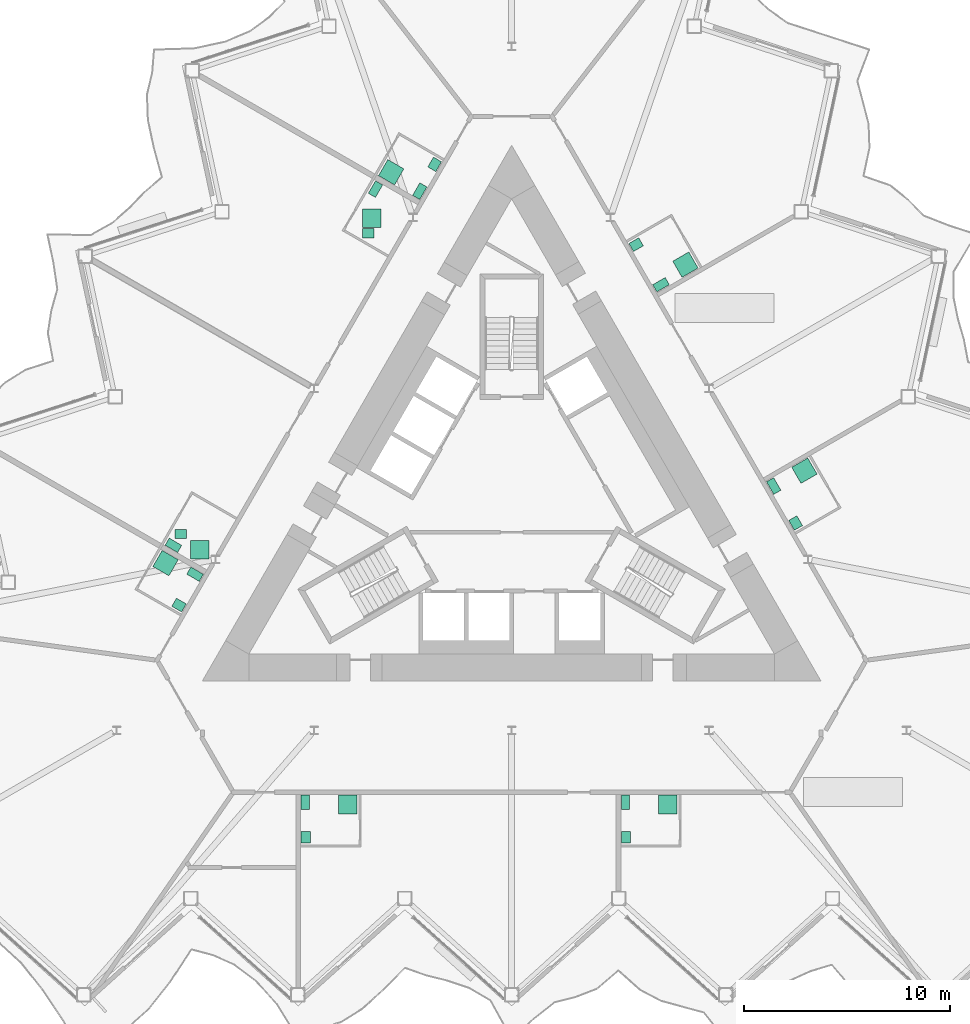
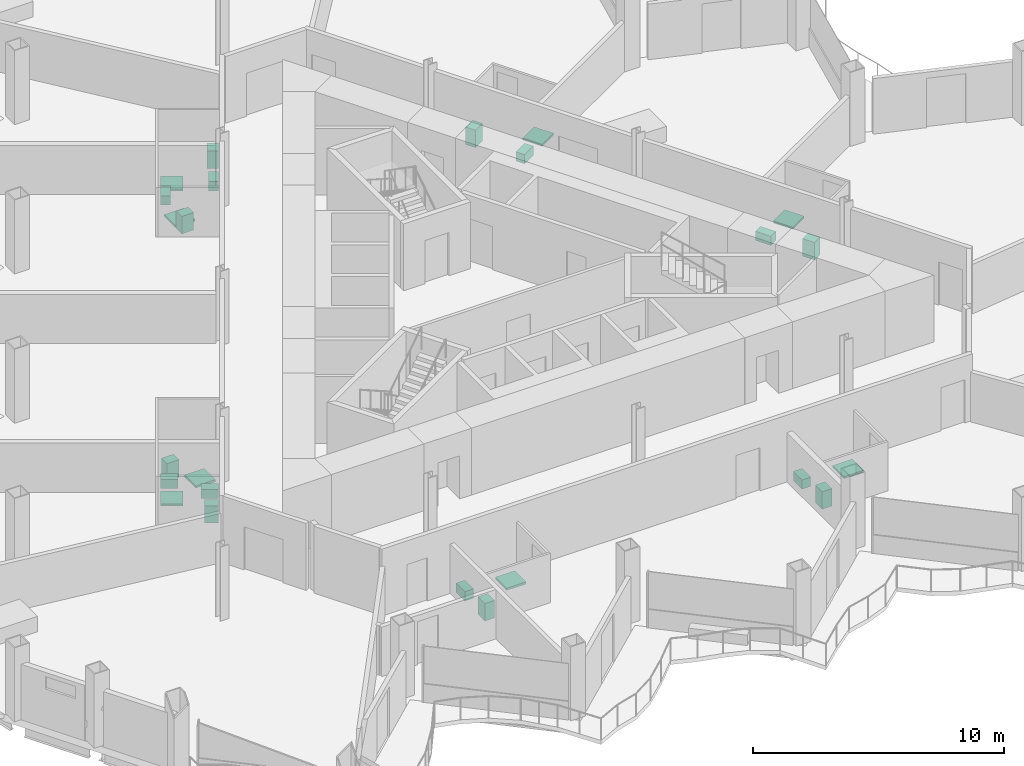
# One storey, part 22 of 23: 24 sanitary terminals.
"""IFC4 building model written with IfcOpenShell, lengths in metres."""

from ifc_helpers import new_model, si_unit, direction, frame, origin, origin_2d, place, context, subcontext, project, spatial, rectangle, extrude, material, type_object, element, save


model = new_model("IFC4")

# Units and contexts
model_context = context("Model", 3, precision=1e-05, world=origin(), true_north=direction((0.0, 1.0)))
body_context = subcontext(model_context, "Body", "Model", "MODEL_VIEW")
ifc_project = project(units=[si_unit("LENGTHUNIT", "METRE"), si_unit("AREAUNIT", "SQUARE_METRE"), si_unit("VOLUMEUNIT", "CUBIC_METRE"), si_unit("PLANEANGLEUNIT", "RADIAN"), si_unit("MASSUNIT", "GRAM", prefix="KILO")], contexts=[model_context])

# Site, building, storey
site_placement = place(None, origin())
site = spatial("IfcSite", under=ifc_project, at=site_placement, CompositionType="ELEMENT")
building_placement = place(site_placement, origin())
building = spatial("IfcBuilding", under=site, at=building_placement, Name="Cormorant Prow Tower", CompositionType="ELEMENT")
storey_placement = place(building_placement, frame((0.0, 0.0, 249.0)))
storey = spatial("IfcBuildingStorey", under=building, at=storey_placement, Name="L55", CompositionType="ELEMENT", Elevation=249.0)

# Sanitary terminals
ifc_material_1 = material(Name="Vitreous china")
sanitary_terminal_type_1 = type_object("IfcSanitaryTerminalType", Name="Shower tray 900x900", PredefinedType="SHOWER", material=ifc_material_1)
for number, where, z_axis, x_axis, name in (
    (1, (-7.9462890625, -14.6552734375, 0.0), (0.0, 0.0, 1.0), (0.0, -1.0, 0.0), "Shower tray"),
    (2, (7.580810546875, -14.6552734375, 0.0), (0.0, 0.0, 1.0), (0.0, -1.0, 0.0), "Shower tray"),
    (3, (14.2001953125, 1.53515625, 0.0), (0.0, 0.0, 1.0), (0.5, -0.866025403784, 0.0), "Shower tray"),
    (4, (8.429443359375, 11.5302734375, 0.0), (0.0, 0.0, 1.0), (-0.866025403784, -0.5, 0.0), "Shower tray"),
    (5, (-5.841552734375, 16.012451171875, 0.0), (0.0, 0.0, 1.0), (0.5, 0.866025403784, 0.0), "Shower tray"),
    (6, (-6.774658203125, 13.7763671875, 0.0), (0.0, 0.0, 1.0), (1.0, 0.0, 0.0), "Shower tray"),
    (7, (-15.126220703125, -2.3046875, 0.0), (0.0, 0.0, 1.0), (1.0, 0.0, 0.0), "Shower tray"),
    (8, (-16.7880859375, -2.947265625, 0.0), (0.0, 0.0, 1.0), (0.866025403784, -0.5, 0.0), "Shower tray"),
):
    element("IfcSanitaryTerminal", number, at=place(storey_placement, frame(where, z_axis=z_axis, x_axis=x_axis)), inside=storey, type_object=sanitary_terminal_type_1, Name=name, PredefinedType="SHOWER", context=body_context, shape_type="SweptSolid", body=[
        extrude(rectangle(XDim=0.89990234375, YDim=0.89990234375, at=origin_2d()), origin(), (0.0, 0.0, 1.0), 0.10009765625),
    ])
ifc_material_2 = material(Name="Vitreous china")
sanitary_terminal_type_2 = type_object("IfcSanitaryTerminalType", Name="Wash basin 550x450", PredefinedType="WASHHANDBASIN", material=ifc_material_2)
for number, where, z_axis, x_axis, name in (
    (9, (-9.9814453125, -16.240234375, 0.0), (0.0, 0.0, 1.0), (0.0, 1.0, 0.0), "Wash basin"),
    (10, (5.545654296875, -16.240234375, 0.0), (0.0, 0.0, 1.0), (0.0, 1.0, 0.0), "Wash basin"),
    (11, (13.776611328125, -1.00146484375, 0.0), (0.0, 0.0, 1.0), (-0.5, 0.866025403784, 0.0), "Wash basin"),
    (12, (6.039306640625, 12.5, 0.0), (0.0, 0.0, 1.0), (0.866025403784, 0.5, 0.0), "Wash basin"),
    (13, (-3.733154296875, 16.394287109375, 0.0), (0.0, 0.0, 1.0), (-0.5, -0.866025403784, 0.0), "Wash basin"),
    (14, (-6.94970703125, 13.051513671875, 0.0), (0.0, 0.0, 1.0), (1.0, 0.0, 0.0), "Wash basin"),
    (15, (-16.051025390625, -1.52978515625, 0.0), (0.0, 0.0, 1.0), (1.0, 0.0, 0.0), "Wash basin"),
    (16, (-16.1328125, -4.982421875, 0.0), (0.0, 0.0, 1.0), (-0.866025403784, 0.5, 0.0), "Wash basin"),
):
    element("IfcSanitaryTerminal", number, at=place(storey_placement, frame(where, z_axis=z_axis, x_axis=x_axis)), inside=storey, type_object=sanitary_terminal_type_2, Name=name, PredefinedType="WASHHANDBASIN", context=body_context, shape_type="SweptSolid", body=[
        extrude(rectangle(XDim=0.550048828125, YDim=0.449951171875, at=origin_2d()), origin(), (0.0, 0.0, 1.0), 0.85009765625),
    ])
ifc_material_3 = material(Name="Vitreous china")
sanitary_terminal_type_3 = type_object("IfcSanitaryTerminalType", Name="Water closet 400x700", PredefinedType="WCSEAT", material=ifc_material_3)
for number, where, z_axis, x_axis, name in (
    (17, (-10.00634765625, -14.555419921875, 0.0), (0.0, 0.0, 1.0), (1.0, 0.0, 0.0), "Water closet"),
    (18, (5.520751953125, -14.555419921875, 0.0), (0.0, 0.0, 1.0), (1.0, 0.0, 0.0), "Water closet"),
    (19, (12.712646484375, 0.791748046875, 0.0), (0.0, 0.0, 1.0), (0.866025403784, 0.5, 0.0), "Water closet"),
    (20, (7.246826171875, 10.55859375, 0.0), (0.0, 0.0, 1.0), (-0.5, 0.866025403784, 0.0), "Water closet"),
    (21, (-4.4541015625, 15.095947265625, 0.0), (0.0, 0.0, 1.0), (-0.866025403784, 0.5, 0.0), "Water closet"),
    (22, (-6.60302734375, 15.193603515625, 0.0), (0.0, 0.0, 1.0), (0.866025403784, -0.5, 0.0), "Water closet"),
    (23, (-16.404541015625, -2.083251953125, 0.0), (0.0, 0.0, 1.0), (0.5, 0.866025403784, 0.0), "Water closet"),
    (24, (-15.355224609375, -3.485595703125, 0.0), (0.0, 0.0, 1.0), (-0.5, -0.866025403784, 0.0), "Water closet"),
):
    element("IfcSanitaryTerminal", number, at=place(storey_placement, frame(where, z_axis=z_axis, x_axis=x_axis)), inside=storey, type_object=sanitary_terminal_type_3, Name=name, PredefinedType="WCSEAT", context=body_context, shape_type="SweptSolid", body=[
        extrude(rectangle(XDim=0.39990234375, YDim=0.699951171875, at=origin_2d()), origin(), (0.0, 0.0, 1.0), 0.449951171875),
    ])

save(model, "model.ifc")
